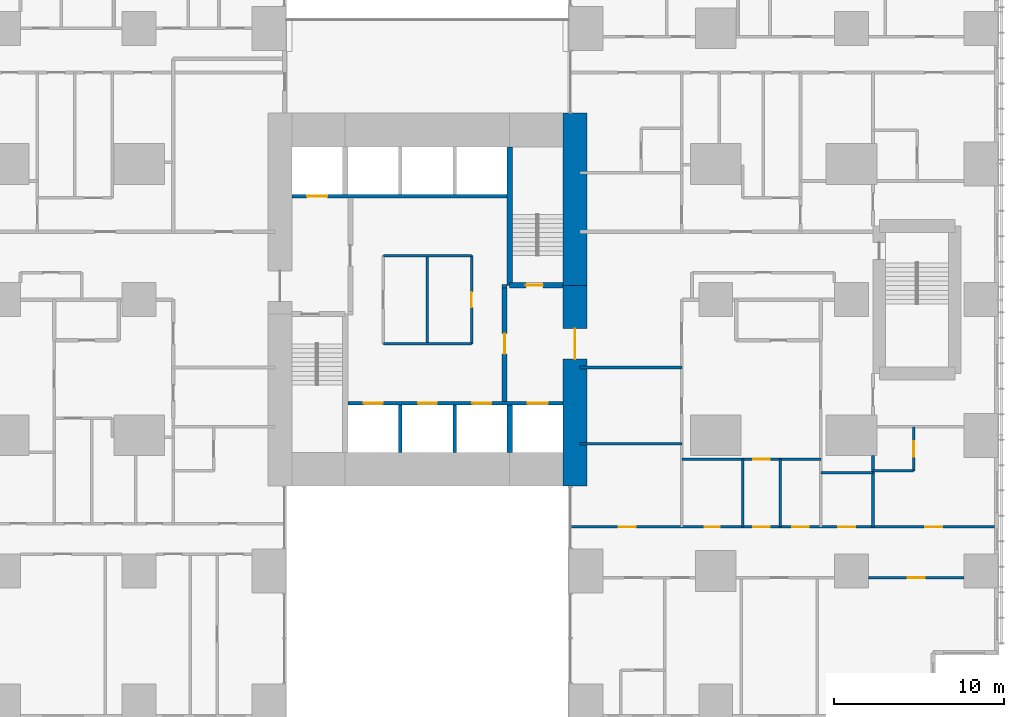
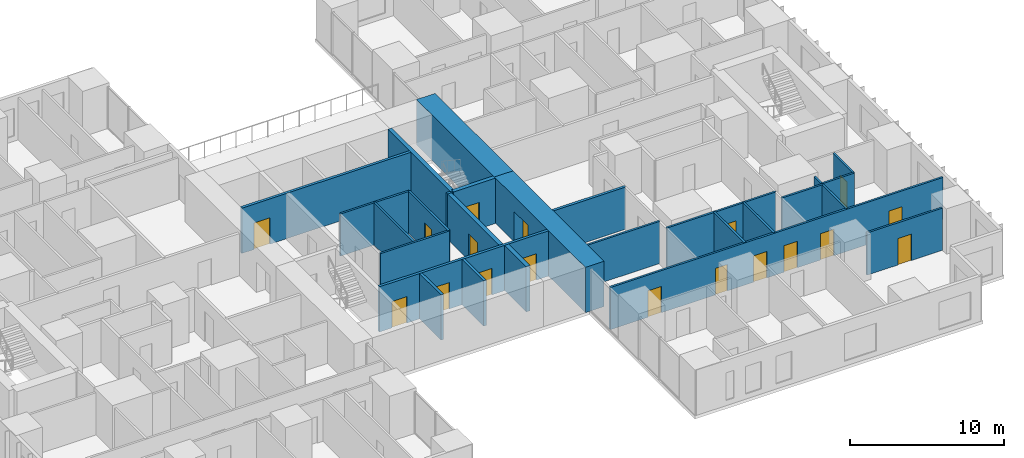
# One storey, part 15 of 20: 26 walls, 18 doors, 18 openings.
"""IFC4 building model written with IfcOpenShell, lengths in metres."""

import ifcopenshell
import ifcopenshell.guid

model = None  # the IFC model being written
_history = None  # IfcOwnerHistory: only IFC2X3 demands one
_inside = {}  # id of a spatial element -> (the spatial element, [elements in it])
_under = {}  # id of a project, library or spatial element -> (it, [spatial elements below it])
_declared = {}  # id of a project -> (the project, [libraries it declares])
_typed = {}  # id of a type object -> (the type object, [elements of that type])
_made_of = {}  # id of a material, layer set ... -> (it, [elements and type objects made of it])


def new_model(schema):
    """Start an empty IFC model of exactly this schema.

    Asked for "IFC4X3", IfcOpenShell would pick the latest addendum, in which some entities
    have other attributes; the version numbers below select the first issue.
    IFC2X3 requires an IfcOwnerHistory on every rooted entity: one is made here for all.
    """
    global model, _history
    if schema == "IFC4X3":
        model = ifcopenshell.file(schema_version=(4, 3, 0, 0))
    else:
        model = ifcopenshell.file(schema=schema)
    _inside.clear()
    _under.clear()
    _declared.clear()
    _typed.clear()
    _made_of.clear()
    _history = None
    if model.schema == "IFC2X3":
        org = make("IfcOrganization", Name="unknown")
        user = make(
            "IfcPersonAndOrganization",
            ThePerson=make("IfcPerson", FamilyName="unknown"),
            TheOrganization=org,
        )
        app = make(
            "IfcApplication",
            ApplicationDeveloper=org,
            Version="unknown",
            ApplicationFullName="unknown",
            ApplicationIdentifier="unknown",
        )
        _history = make(
            "IfcOwnerHistory",
            OwningUser=user,
            OwningApplication=app,
            ChangeAction="ADDED",
            CreationDate=0,
        )
    return model


def make(cls, **values):
    """One entity of the class cls with the attributes given. An attribute that is None is left unset."""
    return model.create_entity(
        cls, **{name: value for name, value in values.items() if value is not None}
    )


def rooted(cls, **values):
    """An entity with a GlobalId (a new one), such as an element, a storey or a relation."""
    return make(cls, GlobalId=ifcopenshell.guid.new(), OwnerHistory=_history, **values)


def si_unit(unit_type, name, prefix=None):
    """IfcSIUnit, for example si_unit("LENGTHUNIT", "METRE", prefix="MILLI")."""
    return make("IfcSIUnit", UnitType=unit_type, Prefix=prefix, Name=name)


def assignment(units):
    """IfcUnitAssignment: the units of a project."""
    return None if units is None else make("IfcUnitAssignment", Units=units)


def point(xyz):
    """IfcCartesianPoint."""
    return None if xyz is None else make("IfcCartesianPoint", Coordinates=xyz)


def direction(xyz):
    """IfcDirection."""
    return None if xyz is None else make("IfcDirection", DirectionRatios=xyz)


def frame(location, z_axis=None, x_axis=None):
    """IfcAxis2Placement3D, a coordinate frame: its origin and axes. An axis left out is left unset."""
    return make(
        "IfcAxis2Placement3D",
        Location=point(location),
        Axis=direction(z_axis),
        RefDirection=direction(x_axis),
    )


def frame_2d(location, x_axis=None):
    """IfcAxis2Placement2D, a coordinate frame in the plane: its origin and x axis."""
    return make(
        "IfcAxis2Placement2D", Location=point(location), RefDirection=direction(x_axis)
    )


def origin():
    """The frame at (0, 0, 0) with its axes left unset."""
    return frame((0.0, 0.0, 0.0))


def place(relative_to, where):
    """IfcLocalPlacement: puts the frame where relative to a parent placement (None: the world)."""
    return make(
        "IfcLocalPlacement", PlacementRelTo=relative_to, RelativePlacement=where
    )


def context(
    kind, dimensions, precision=None, world=None, true_north=None, identifier=None
):
    """IfcGeometricRepresentationContext, for example the 3D "Model" context."""
    return make(
        "IfcGeometricRepresentationContext",
        ContextIdentifier=identifier,
        ContextType=kind,
        CoordinateSpaceDimension=dimensions,
        Precision=precision,
        WorldCoordinateSystem=world,
        TrueNorth=true_north,
    )


def subcontext(parent, identifier, kind, view, scale=None):
    """IfcGeometricRepresentationSubContext, for example "Body" below "Model"."""
    return make(
        "IfcGeometricRepresentationSubContext",
        ContextIdentifier=identifier,
        ContextType=kind,
        ParentContext=parent,
        TargetScale=scale,
        TargetView=view,
    )


def project(units=None, contexts=None):
    """IfcProject with its units and contexts."""
    return rooted(
        "IfcProject",
        Name="project",
        RepresentationContexts=contexts,
        UnitsInContext=assignment(units),
    )


def spatial(cls, under=None, at=None, **own):
    """A site, building, storey or space (cls), placed at a placement, below another one or the project."""
    s = rooted(cls, ObjectPlacement=at, **own)
    if under is not None:
        _under.setdefault(under.id(), (under, []))[1].append(s)
    return s


def profile(cls, at=None, kind="AREA", **sizes):
    """A parametric profile (cls). Its sizes go by their IFC names, for example OverallWidth=200.0."""
    return make(cls, ProfileType=kind, Position=at, **sizes)


def rectangle(**sizes):
    """IfcRectangleProfileDef."""
    return profile("IfcRectangleProfileDef", **sizes)


def extrude(swept, where, along, depth):
    """IfcExtrudedAreaSolid: the profile swept, set in the frame where, extruded along a direction by depth."""
    return make(
        "IfcExtrudedAreaSolid",
        SweptArea=swept,
        Position=where,
        ExtrudedDirection=direction(along),
        Depth=depth,
    )


def shape(context_of_items, identifier, shape_type, items):
    """IfcShapeRepresentation: the items that make up one representation, for example the "Body"."""
    return make(
        "IfcShapeRepresentation",
        ContextOfItems=context_of_items,
        RepresentationIdentifier=identifier,
        RepresentationType=shape_type,
        Items=items,
    )


def material(Name=None, Category=None):
    """IfcMaterial."""
    return make("IfcMaterial", Name=Name, Category=Category)


def layer(
    of_material, thickness, ventilated=None, Name=None, Category=None, Priority=None
):
    """IfcMaterialLayer: one layer of a wall or slab, of a material (None: an air gap)."""
    return make(
        "IfcMaterialLayer",
        Material=of_material,
        LayerThickness=thickness,
        IsVentilated=ventilated,
        Name=Name,
        Category=Category,
        Priority=Priority,
    )


def layer_set(layers, Name=None):
    """IfcMaterialLayerSet."""
    return make("IfcMaterialLayerSet", MaterialLayers=layers, LayerSetName=Name)


def made_of(thing, what):
    """Note that an element or type object is made of a material, layer set ...; save() writes the relation."""
    if what is not None:
        _made_of.setdefault(what.id(), (what, []))[1].append(thing)
    return thing


def type_object(cls, material=None, **own):
    """A type object (cls), such as IfcWallType, which elements share."""
    return made_of(rooted(cls, **own), material)


def element(
    cls,
    number,
    at=None,
    inside=None,
    cuts=None,
    type_object=None,
    material=None,
    context=None,
    identifier="Body",
    shape_type=None,
    held_by="IfcProductDefinitionShape",
    body=None,
    shapes=None,
    **own,
):
    """One element of the class cls, such as IfcWall. Its Tag is "e" and its number.

    at: its placement. inside: the storey or other place that contains it. cuts: it is an
    opening in that element (IfcRelVoidsElement). A single representation is given by context,
    identifier, shape_type and body (its items); several are given by shapes. held_by: the class
    of the entity that holds the representations. save() writes the other relations.
    """
    e = rooted(cls, Tag="e%d" % number, ObjectPlacement=at, **own)
    if body is not None:
        shapes = [shape(context, identifier, shape_type, body)]
    if shapes is not None:
        e.Representation = make(held_by, Representations=shapes)
    if inside is not None:
        _inside.setdefault(inside.id(), (inside, []))[1].append(e)
    if cuts is not None:
        rooted(
            "IfcRelVoidsElement", RelatingBuildingElement=cuts, RelatedOpeningElement=e
        )
    if type_object is not None:
        _typed.setdefault(type_object.id(), (type_object, []))[1].append(e)
    return made_of(e, material)


def fill(opening, filler):
    """IfcRelFillsElement: the door or window that sits in an opening."""
    return rooted(
        "IfcRelFillsElement",
        RelatingOpeningElement=opening,
        RelatedBuildingElement=filler,
    )


def aggregate(whole, parts):
    """IfcRelAggregates: a whole, such as a stair, and the parts it consists of."""
    return rooted("IfcRelAggregates", RelatingObject=whole, RelatedObjects=parts)


def save(model, path):
    """Write the relations noted so far, then the file.

    IfcRelAggregates (storeys below a building ...), IfcRelContainedInSpatialStructure (elements
    in a storey), IfcRelDefinesByType, IfcRelAssociatesMaterial and IfcRelDeclares: one each for
    every whole, place, type object, material and project.
    """
    for whole, parts in _under.values():
        aggregate(whole, parts)
    for where, things in _inside.values():
        rooted(
            "IfcRelContainedInSpatialStructure",
            RelatedElements=things,
            RelatingStructure=where,
        )
    for kind, things in _typed.values():
        rooted("IfcRelDefinesByType", RelatedObjects=things, RelatingType=kind)
    for what, things in _made_of.values():
        rooted("IfcRelAssociatesMaterial", RelatedObjects=things, RelatingMaterial=what)
    for by, libraries in _declared.values():
        rooted("IfcRelDeclares", RelatingContext=by, RelatedDefinitions=libraries)
    model.write(path)


model = new_model("IFC4")

# Units and contexts
model_context = context("Model", 3, precision=1e-05, world=origin(), true_north=direction((0.0, 1.0)))
body_context = subcontext(model_context, "Body", "Model", "MODEL_VIEW")
ifc_project = project(units=[si_unit("LENGTHUNIT", "METRE"), si_unit("AREAUNIT", "SQUARE_METRE"), si_unit("VOLUMEUNIT", "CUBIC_METRE"), si_unit("PLANEANGLEUNIT", "RADIAN"), si_unit("MASSUNIT", "GRAM", prefix="KILO")], contexts=[model_context])

# Site, building, storey
site_placement = place(None, origin())
site = spatial("IfcSite", under=ifc_project, at=site_placement, CompositionType="ELEMENT")
building_placement = place(site_placement, origin())
building = spatial("IfcBuilding", under=site, at=building_placement, Name="Cleftline Residences", CompositionType="ELEMENT")
storey_placement = place(building_placement, frame((0.0, 0.0, 96.199951171875)))
storey = spatial("IfcBuildingStorey", under=building, at=storey_placement, Name="L24", CompositionType="ELEMENT", Elevation=96.199951171875)

# Wall, opening, door
ifc_material_1 = material(Name="Concrete B70", Category="concrete")
ifc_layer_1 = layer(ifc_material_1, 1.39990234375)
ifc_layer_set_1 = layer_set([ifc_layer_1], Name="CORE WALL 1400")
wall_type_1 = type_object("IfcWallType", Name="CORE WALL 1400", PredefinedType="SHEAR", material=ifc_layer_set_1)
wall_1_placement = place(storey_placement, frame((41.699951171875, 13.0, 0.0), z_axis=(0.0, 0.0, 1.0), x_axis=(0.0, 1.0, 0.0)))
wall_1 = element("IfcWall", 1, at=wall_1_placement, inside=storey, type_object=wall_type_1, Name="Core wall E", PredefinedType="SHEAR", context=body_context, shape_type="SweptSolid", body=[
    extrude(rectangle(XDim=11.85009765625, YDim=1.39990234375, at=frame_2d((5.925048828125, 0.0))), origin(), (0.0, 0.0, 1.0), 3.60009765625),
])
opening_1_placement = place(wall_1_placement, frame((7.5, 0.0, 0.0)))
opening_1 = element("IfcOpeningElement", 2, at=opening_1_placement, cuts=wall_1, Name="Opening D7", PredefinedType="OPENING", context=body_context, shape_type="SweptSolid", body=[
    extrude(rectangle(XDim=1.800048828125, YDim=2.39990234375, at=frame_2d((0.89990234375, 1.199951171875))), frame((0.0, 0.7099609375, 0.0), z_axis=(0.0, -1.0, 0.0), x_axis=(1.0, 0.0, 0.0)), (0.0, 0.0, 1.0), 1.419921875),
])
ifc_material_2 = material(Name="Steel", Category="steel")
door_type_1 = type_object("IfcDoorType", Name="WING DOOR 1800X2400", OperationType="DOUBLE_DOOR_DOUBLE_SWING", PredefinedType="DOOR", material=ifc_material_2)
door_1_placement = place(opening_1_placement, origin())
door_1 = element("IfcDoor", 3, at=door_1_placement, inside=storey, type_object=door_type_1, Name="East wing door", OperationType="DOUBLE_DOOR_DOUBLE_SWING", OverallHeight=2.39990234375, OverallWidth=1.800048828125, PredefinedType="DOOR", context=body_context, shape_type="SweptSolid", body=[
    extrude(rectangle(XDim=1.800048828125, YDim=2.39990234375, at=frame_2d((0.89990234375, 1.199951171875))), frame((0.0, 0.02490234375, 0.0), z_axis=(0.0, -1.0, 0.0), x_axis=(1.0, 0.0, 0.0)), (0.0, 0.0, 1.0), 0.050048828125),
])
fill(opening_1, door_1)

# Walls
wall_2_placement = place(storey_placement, frame((41.699951171875, 24.85009765625, 0.0), z_axis=(0.0, 0.0, 1.0), x_axis=(0.0, 1.0, 0.0)))
element("IfcWall", 4, at=wall_2_placement, inside=storey, type_object=wall_type_1, Name="Core wall E1", PredefinedType="SHEAR", context=body_context, shape_type="SweptSolid", body=[
    extrude(rectangle(XDim=10.14990234375, YDim=1.39990234375, at=frame_2d((5.074951171875, 0.0))), origin(), (0.0, 0.0, 1.0), 3.60009765625),
])
ifc_material_3 = material(Name="Concrete B70", Category="concrete")
ifc_layer_2 = layer(ifc_material_3, 0.300048828125)
ifc_layer_set_2 = layer_set([ifc_layer_2], Name="CORE WALL 300")
wall_type_2 = type_object("IfcWallType", Name="CORE WALL 300", PredefinedType="SHEAR", material=ifc_layer_set_2)
wall_3_placement = place(storey_placement, frame((37.85009765625, 24.85009765625, 0.0), z_axis=(0.0, 0.0, 1.0), x_axis=(0.0, 1.0, 0.0)))
element("IfcWall", 5, at=wall_3_placement, inside=storey, type_object=wall_type_2, Name="Core wall SB-W", PredefinedType="SHEAR", context=body_context, shape_type="SweptSolid", body=[
    extrude(rectangle(XDim=8.14990234375, YDim=0.300048828125, at=frame_2d((4.074951171875, 0.0))), origin(), (0.0, 0.0, 1.0), 3.60009765625),
])

# Wall, opening, door
wall_4_placement = place(storey_placement, frame((37.85009765625, 24.85009765625, 0.0), z_axis=(0.0, 0.0, 1.0), x_axis=(1.0, 0.0, 0.0)))
wall_4 = element("IfcWall", 6, at=wall_4_placement, inside=storey, type_object=wall_type_2, Name="Core wall SB-S", PredefinedType="SHEAR", context=body_context, shape_type="SweptSolid", body=[
    extrude(rectangle(XDim=3.14990234375, YDim=0.300048828125, at=frame_2d((1.574951171875, 0.0))), origin(), (0.0, 0.0, 1.0), 3.60009765625),
])
opening_2_placement = place(wall_4_placement, frame((0.949951171875, 0.0, 0.0)))
opening_2 = element("IfcOpeningElement", 7, at=opening_2_placement, cuts=wall_4, Name="Opening D5", PredefinedType="OPENING", context=body_context, shape_type="SweptSolid", body=[
    extrude(rectangle(XDim=1.0, YDim=2.10009765625, at=frame_2d((0.5, 1.050048828125))), frame((0.0, 0.159912109375, 0.0), z_axis=(0.0, -1.0, 0.0), x_axis=(1.0, 0.0, 0.0)), (0.0, 0.0, 1.0), 0.320068359375),
])
ifc_material_4 = material(Name="Steel", Category="steel")
door_type_2 = type_object("IfcDoorType", Name="STAIR DOOR 1000X2100", OperationType="SINGLE_SWING_LEFT", PredefinedType="DOOR", material=ifc_material_4)
door_2_placement = place(opening_2_placement, origin())
door_2 = element("IfcDoor", 8, at=door_2_placement, inside=storey, type_object=door_type_2, Name="Stair B door", OperationType="SINGLE_SWING_RIGHT", OverallHeight=2.10009765625, OverallWidth=1.0, PredefinedType="DOOR", context=body_context, shape_type="SweptSolid", body=[
    extrude(rectangle(XDim=1.0, YDim=2.10009765625, at=frame_2d((0.5, 1.050048828125))), frame((0.0, 0.02490234375, 0.0), z_axis=(0.0, -1.0, 0.0), x_axis=(1.0, 0.0, 0.0)), (0.0, 0.0, 1.0), 0.050048828125),
])
fill(opening_2, door_2)

# Walls
wall_5_placement = place(storey_placement, frame((37.85009765625, 15.0, 0.0), z_axis=(0.0, 0.0, 1.0), x_axis=(0.0, 1.0, 0.0)))
element("IfcWall", 9, at=wall_5_placement, inside=storey, type_object=wall_type_2, Name="Lift shaft wall", PredefinedType="SHEAR", context=body_context, shape_type="SweptSolid", body=[
    extrude(rectangle(XDim=2.800048828125, YDim=0.300048828125, at=frame_2d((1.39990234375, 0.0))), origin(), (0.0, 0.0, 1.0), 3.60009765625),
])
ifc_material_5 = material(Name="Concrete blockwork, fire rated", Category="masonry")
ifc_layer_3 = layer(ifc_material_5, 0.199951171875)
ifc_layer_set_3 = layer_set([ifc_layer_3], Name="FIRE WALL 200")
wall_type_3 = type_object("IfcWallType", Name="FIRE WALL 200", PredefinedType="PARTITIONING", material=ifc_layer_set_3)
wall_6_placement = place(storey_placement, frame((42.0, 20.0, 0.0), z_axis=(0.0, 0.0, 1.0), x_axis=(1.0, 0.0, 0.0)))
element("IfcWall", 10, at=wall_6_placement, inside=storey, type_object=wall_type_3, Name="Fire separating wall", PredefinedType="PARTITIONING", context=body_context, shape_type="SweptSolid", body=[
    extrude(rectangle(XDim=6.0, YDim=0.199951171875, at=frame_2d((3.0, 0.0))), origin(), (0.0, 0.0, 1.0), 3.35009765625),
])
wall_7_placement = place(storey_placement, frame((37.39990234375, 24.800048828125, 0.0), z_axis=(0.0, 0.0, 1.0), x_axis=(1.0, 0.0, 0.0)))
element("IfcWall", 11, at=wall_7_placement, inside=storey, type_object=wall_type_3, Name="Fire separating wall", PredefinedType="PARTITIONING", context=body_context, shape_type="SweptSolid", body=[
    extrude(rectangle(XDim=0.300048828125, YDim=0.199951171875, at=frame_2d((0.14990234375, 0.0))), origin(), (0.0, 0.0, 1.0), 3.60009765625),
])

# Wall, opening, door
ifc_material_6 = material(Name="Gypsum board on steel studs", Category="steel")
ifc_layer_4 = layer(ifc_material_6, 0.14990234375)
ifc_layer_set_4 = layer_set([ifc_layer_4], Name="PARTITION 150")
wall_type_4 = type_object("IfcWallType", Name="PARTITION 150", PredefinedType="PARTITIONING", material=ifc_layer_set_4)
wall_8_placement = place(storey_placement, frame((59.0, 7.60009765625, 0.0), z_axis=(0.0, 0.0, 1.0), x_axis=(1.0, 0.0, 0.0)))
wall_8 = element("IfcWall", 12, at=wall_8_placement, inside=storey, type_object=wall_type_4, Name="Partition", PredefinedType="PARTITIONING", context=body_context, shape_type="SweptSolid", body=[
    extrude(rectangle(XDim=5.64990234375, YDim=0.14990234375, at=frame_2d((2.824951171875, 0.0))), origin(), (0.0, 0.0, 1.0), 3.35009765625),
])
opening_3_placement = place(wall_8_placement, frame((2.324951171875, 0.0, 0.0)))
opening_3 = element("IfcOpeningElement", 13, at=opening_3_placement, cuts=wall_8, Name="Opening D2", PredefinedType="OPENING", context=body_context, shape_type="SweptSolid", body=[
    extrude(rectangle(XDim=1.0, YDim=2.10009765625, at=frame_2d((0.5, 1.050048828125))), frame((0.0, 0.0849609375, 0.0), z_axis=(0.0, -1.0, 0.0), x_axis=(1.0, 0.0, 0.0)), (0.0, 0.0, 1.0), 0.169921875),
])
ifc_material_7 = material(Name="Timber veneer on solid core", Category="wood")
door_type_3 = type_object("IfcDoorType", Name="DOOR 1000X2100", OperationType="SINGLE_SWING_LEFT", PredefinedType="DOOR", material=ifc_material_7)
door_3_placement = place(opening_3_placement, origin())
door_3 = element("IfcDoor", 14, at=door_3_placement, inside=storey, type_object=door_type_3, Name="Door to sea-view lounge", OperationType="SINGLE_SWING_LEFT", OverallHeight=2.10009765625, OverallWidth=1.0, PredefinedType="DOOR", context=body_context, shape_type="SweptSolid", body=[
    extrude(rectangle(XDim=1.0, YDim=2.10009765625, at=frame_2d((0.5, 1.050048828125))), frame((0.0, 0.02490234375, 0.0), z_axis=(0.0, -1.0, 0.0), x_axis=(1.0, 0.0, 0.0)), (0.0, 0.0, 1.0), 0.050048828125),
])
fill(opening_3, door_3)

# Wall, openings, doors
wall_9_placement = place(storey_placement, frame((41.43896484375, 10.60009765625, 0.0), z_axis=(0.0, 0.0, 1.0), x_axis=(1.0, 0.0, 0.0)))
wall_9 = element("IfcWall", 15, at=wall_9_placement, inside=storey, type_object=wall_type_4, Name="Partition", PredefinedType="PARTITIONING", context=body_context, shape_type="SweptSolid", body=[
    extrude(rectangle(XDim=25.010986328125, YDim=0.14990234375, at=frame_2d((12.50537109375, 0.0))), origin(), (0.0, 0.0, 1.0), 3.35009765625),
])
opening_4_placement = place(wall_9_placement, frame((10.760986328125, 0.0, 0.0)))
opening_4 = element("IfcOpeningElement", 16, at=opening_4_placement, cuts=wall_9, Name="Opening D2", PredefinedType="OPENING", context=body_context, shape_type="SweptSolid", body=[
    extrude(rectangle(XDim=1.0, YDim=2.10009765625, at=frame_2d((0.5, 1.050048828125))), frame((0.0, 0.0849609375, 0.0), z_axis=(0.0, -1.0, 0.0), x_axis=(1.0, 0.0, 0.0)), (0.0, 0.0, 1.0), 0.169921875),
])
opening_5_placement = place(wall_9_placement, frame((20.923583984375, 0.0, 0.0)))
opening_5 = element("IfcOpeningElement", 17, at=opening_5_placement, cuts=wall_9, Name="Opening D2", PredefinedType="OPENING", context=body_context, shape_type="SweptSolid", body=[
    extrude(rectangle(XDim=1.0, YDim=2.10009765625, at=frame_2d((0.5, 1.050048828125))), frame((0.0, 0.0849609375, 0.0), z_axis=(0.0, -1.0, 0.0), x_axis=(1.0, 0.0, 0.0)), (0.0, 0.0, 1.0), 0.169921875),
])
opening_6_placement = place(wall_9_placement, frame((15.798583984375, 0.0, 0.0)))
opening_6 = element("IfcOpeningElement", 18, at=opening_6_placement, cuts=wall_9, Name="Opening D2", PredefinedType="OPENING", context=body_context, shape_type="SweptSolid", body=[
    extrude(rectangle(XDim=1.0, YDim=2.10009765625, at=frame_2d((0.5, 1.050048828125))), frame((0.0, 0.0849609375, 0.0), z_axis=(0.0, -1.0, 0.0), x_axis=(1.0, 0.0, 0.0)), (0.0, 0.0, 1.0), 0.169921875),
])
opening_7_placement = place(wall_9_placement, frame((13.06103515625, 0.0, 0.0)))
opening_7 = element("IfcOpeningElement", 19, at=opening_7_placement, cuts=wall_9, Name="Opening D2", PredefinedType="OPENING", context=body_context, shape_type="SweptSolid", body=[
    extrude(rectangle(XDim=1.0, YDim=2.10009765625, at=frame_2d((0.5, 1.050048828125))), frame((0.0, 0.0849609375, 0.0), z_axis=(0.0, -1.0, 0.0), x_axis=(1.0, 0.0, 0.0)), (0.0, 0.0, 1.0), 0.169921875),
])
opening_8_placement = place(wall_9_placement, frame((7.910888671875, 0.0, 0.0)))
opening_8 = element("IfcOpeningElement", 20, at=opening_8_placement, cuts=wall_9, Name="Opening D1", PredefinedType="OPENING", context=body_context, shape_type="SweptSolid", body=[
    extrude(rectangle(XDim=0.89990234375, YDim=2.10009765625, at=frame_2d((0.449951171875, 1.050048828125))), frame((0.0, 0.0849609375, 0.0), z_axis=(0.0, -1.0, 0.0), x_axis=(1.0, 0.0, 0.0)), (0.0, 0.0, 1.0), 0.169921875),
])
opening_9_placement = place(wall_9_placement, frame((2.8359375, 0.0, 0.0)))
opening_9 = element("IfcOpeningElement", 21, at=opening_9_placement, cuts=wall_9, Name="Opening D2", PredefinedType="OPENING", context=body_context, shape_type="SweptSolid", body=[
    extrude(rectangle(XDim=1.0, YDim=2.10009765625, at=frame_2d((0.5, 1.050048828125))), frame((0.0, 0.0849609375, 0.0), z_axis=(0.0, -1.0, 0.0), x_axis=(1.0, 0.0, 0.0)), (0.0, 0.0, 1.0), 0.169921875),
])
door_4_placement = place(opening_4_placement, origin())
door_4 = element("IfcDoor", 22, at=door_4_placement, inside=storey, type_object=door_type_3, Name="Door to residence hall", OperationType="SINGLE_SWING_RIGHT", OverallHeight=2.10009765625, OverallWidth=1.0, PredefinedType="DOOR", context=body_context, shape_type="SweptSolid", body=[
    extrude(rectangle(XDim=1.0, YDim=2.10009765625, at=frame_2d((0.5, 1.050048828125))), frame((0.0, 0.02490234375, 0.0), z_axis=(0.0, -1.0, 0.0), x_axis=(1.0, 0.0, 0.0)), (0.0, 0.0, 1.0), 0.050048828125),
])
fill(opening_4, door_4)
door_5_placement = place(opening_5_placement, origin())
door_5 = element("IfcDoor", 23, at=door_5_placement, inside=storey, type_object=door_type_3, Name="Door to master bedroom", OperationType="SINGLE_SWING_LEFT", OverallHeight=2.10009765625, OverallWidth=1.0, PredefinedType="DOOR", context=body_context, shape_type="SweptSolid", body=[
    extrude(rectangle(XDim=1.0, YDim=2.10009765625, at=frame_2d((0.5, 1.050048828125))), frame((0.0, 0.02490234375, 0.0), z_axis=(0.0, -1.0, 0.0), x_axis=(1.0, 0.0, 0.0)), (0.0, 0.0, 1.0), 0.050048828125),
])
fill(opening_5, door_5)
door_6_placement = place(opening_6_placement, origin())
door_6 = element("IfcDoor", 24, at=door_6_placement, inside=storey, type_object=door_type_3, Name="Door to wet kitchen", OperationType="SINGLE_SWING_LEFT", OverallHeight=2.10009765625, OverallWidth=1.0, PredefinedType="DOOR", context=body_context, shape_type="SweptSolid", body=[
    extrude(rectangle(XDim=1.0, YDim=2.10009765625, at=frame_2d((0.5, 1.050048828125))), frame((0.0, 0.02490234375, 0.0), z_axis=(0.0, -1.0, 0.0), x_axis=(1.0, 0.0, 0.0)), (0.0, 0.0, 1.0), 0.050048828125),
])
fill(opening_6, door_6)
door_7_placement = place(opening_7_placement, origin())
door_7 = element("IfcDoor", 25, at=door_7_placement, inside=storey, type_object=door_type_3, Name="Door to media room", OperationType="SINGLE_SWING_LEFT", OverallHeight=2.10009765625, OverallWidth=1.0, PredefinedType="DOOR", context=body_context, shape_type="SweptSolid", body=[
    extrude(rectangle(XDim=1.0, YDim=2.10009765625, at=frame_2d((0.5, 1.050048828125))), frame((0.0, 0.02490234375, 0.0), z_axis=(0.0, -1.0, 0.0), x_axis=(1.0, 0.0, 0.0)), (0.0, 0.0, 1.0), 0.050048828125),
])
fill(opening_7, door_7)
door_8_placement = place(opening_9_placement, origin())
door_8 = element("IfcDoor", 26, at=door_8_placement, inside=storey, type_object=door_type_3, Name="Door to study", OperationType="SINGLE_SWING_RIGHT", OverallHeight=2.10009765625, OverallWidth=1.0, PredefinedType="DOOR", context=body_context, shape_type="SweptSolid", body=[
    extrude(rectangle(XDim=1.0, YDim=2.10009765625, at=frame_2d((0.5, 1.050048828125))), frame((0.0, 0.02490234375, 0.0), z_axis=(0.0, -1.0, 0.0), x_axis=(1.0, 0.0, 0.0)), (0.0, 0.0, 1.0), 0.050048828125),
])
fill(opening_9, door_8)
ifc_material_8 = material(Name="Timber veneer on solid core", Category="wood")
door_type_4 = type_object("IfcDoorType", Name="DOOR 900X2100", OperationType="SINGLE_SWING_LEFT", PredefinedType="DOOR", material=ifc_material_8)
door_9_placement = place(opening_8_placement, origin())
door_9 = element("IfcDoor", 27, at=door_9_placement, inside=storey, type_object=door_type_4, Name="Door to bedroom 2 bathroom", OperationType="SINGLE_SWING_RIGHT", OverallHeight=2.10009765625, OverallWidth=0.89990234375, PredefinedType="DOOR", context=body_context, shape_type="SweptSolid", body=[
    extrude(rectangle(XDim=0.89990234375, YDim=2.10009765625, at=frame_2d((0.449951171875, 1.050048828125))), frame((0.0, 0.02490234375, 0.0), z_axis=(0.0, -1.0, 0.0), x_axis=(1.0, 0.0, 0.0)), (0.0, 0.0, 1.0), 0.050048828125),
])
fill(opening_8, door_9)

# Walls
wall_10_placement = place(storey_placement, frame((56.199951171875, 13.800048828125, 0.0), z_axis=(0.0, 0.0, 1.0), x_axis=(1.0, 0.0, 0.0)))
element("IfcWall", 28, at=wall_10_placement, inside=storey, type_object=wall_type_4, Name="Partition", PredefinedType="PARTITIONING", context=body_context, shape_type="SweptSolid", body=[
    extrude(rectangle(XDim=3.074951171875, YDim=0.14990234375, at=frame_2d((1.53759765625, 0.0))), origin(), (0.0, 0.0, 1.0), 3.35009765625),
])
wall_11_placement = place(storey_placement, frame((59.27490234375, 13.89990234375, 0.0), z_axis=(0.0, 0.0, 1.0), x_axis=(1.0, 0.0, 0.0)))
element("IfcWall", 29, at=wall_11_placement, inside=storey, type_object=wall_type_4, Name="Partition", PredefinedType="PARTITIONING", context=body_context, shape_type="SweptSolid", body=[
    extrude(rectangle(XDim=2.400146484375, YDim=0.14990234375, at=frame_2d((1.2001953125, 0.0))), origin(), (0.0, 0.0, 1.0), 3.35009765625),
])

# Wall, opening, door
wall_12_placement = place(storey_placement, frame((48.0, 14.60009765625, 0.0), z_axis=(0.0, 0.0, 1.0), x_axis=(1.0, 0.0, 0.0)))
wall_12 = element("IfcWall", 30, at=wall_12_placement, inside=storey, type_object=wall_type_4, Name="Partition", PredefinedType="PARTITIONING", context=body_context, shape_type="SweptSolid", body=[
    extrude(rectangle(XDim=8.199951171875, YDim=0.14990234375, at=frame_2d((4.10009765625, 0.0))), origin(), (0.0, 0.0, 1.0), 3.35009765625),
])
opening_10_placement = place(wall_12_placement, frame((4.199951171875, 0.0, 0.0)))
opening_10 = element("IfcOpeningElement", 31, at=opening_10_placement, cuts=wall_12, Name="Opening D2", PredefinedType="OPENING", context=body_context, shape_type="SweptSolid", body=[
    extrude(rectangle(XDim=1.0, YDim=2.10009765625, at=frame_2d((0.5, 1.050048828125))), frame((0.0, 0.0849609375, 0.0), z_axis=(0.0, -1.0, 0.0), x_axis=(1.0, 0.0, 0.0)), (0.0, 0.0, 1.0), 0.169921875),
])
door_10_placement = place(opening_10_placement, origin())
door_10 = element("IfcDoor", 32, at=door_10_placement, inside=storey, type_object=door_type_3, Name="Door to residence passage", OperationType="SINGLE_SWING_LEFT", OverallHeight=2.10009765625, OverallWidth=1.0, PredefinedType="DOOR", context=body_context, shape_type="SweptSolid", body=[
    extrude(rectangle(XDim=1.0, YDim=2.10009765625, at=frame_2d((0.5, 1.050048828125))), frame((0.0, 0.02490234375, 0.0), z_axis=(0.0, -1.0, 0.0), x_axis=(1.0, 0.0, 0.0)), (0.0, 0.0, 1.0), 0.050048828125),
])
fill(opening_10, door_10)

# Walls
wall_13_placement = place(storey_placement, frame((42.0, 15.5, 0.0), z_axis=(0.0, 0.0, 1.0), x_axis=(1.0, 0.0, 0.0)))
element("IfcWall", 33, at=wall_13_placement, inside=storey, type_object=wall_type_4, Name="Partition", PredefinedType="PARTITIONING", context=body_context, shape_type="SweptSolid", body=[
    extrude(rectangle(XDim=6.0, YDim=0.14990234375, at=frame_2d((3.0, 0.0))), origin(), (0.0, 0.0, 1.0), 3.35009765625),
])
for number, where, z_axis, x_axis, name in (
    (34, (51.60009765625, 10.60009765625, 0.0), (0.0, 0.0, 1.0), (0.0, 1.0, 0.0), "Partition"),
    (35, (53.800048828125, 10.60009765625, 0.0), (0.0, 0.0, 1.0), (0.0, 1.0, 0.0), "Partition"),
):
    element("IfcWall", number, at=place(storey_placement, frame(where, z_axis=z_axis, x_axis=x_axis)), inside=storey, type_object=wall_type_4, Name=name, PredefinedType="PARTITIONING", context=body_context, shape_type="SweptSolid", body=[
        extrude(rectangle(XDim=4.0, YDim=0.14990234375, at=frame_2d((2.0, 0.0))), origin(), (0.0, 0.0, 1.0), 3.35009765625),
    ])
wall_14_placement = place(storey_placement, frame((59.27490234375, 10.60009765625, 0.0), z_axis=(0.0, 0.0, 1.0), x_axis=(0.0, 1.0, 0.0)))
element("IfcWall", 36, at=wall_14_placement, inside=storey, type_object=wall_type_4, Name="Partition", PredefinedType="PARTITIONING", context=body_context, shape_type="SweptSolid", body=[
    extrude(rectangle(XDim=4.199951171875, YDim=0.14990234375, at=frame_2d((2.10009765625, 0.0))), origin(), (0.0, 0.0, 1.0), 3.35009765625),
])

# Wall, opening, door
wall_15_placement = place(storey_placement, frame((61.675048828125, 13.89990234375, 0.0), z_axis=(0.0, 0.0, 1.0), x_axis=(0.0, 1.0, 0.0)))
wall_15 = element("IfcWall", 37, at=wall_15_placement, inside=storey, type_object=wall_type_4, Name="Partition", PredefinedType="PARTITIONING", context=body_context, shape_type="SweptSolid", body=[
    extrude(rectangle(XDim=2.60009765625, YDim=0.14990234375, at=frame_2d((1.300048828125, 0.0))), origin(), (0.0, 0.0, 1.0), 3.35009765625),
])
opening_11_placement = place(wall_15_placement, frame((0.85009765625, 0.0, 0.0)))
opening_11 = element("IfcOpeningElement", 38, at=opening_11_placement, cuts=wall_15, Name="Opening D1", PredefinedType="OPENING", context=body_context, shape_type="SweptSolid", body=[
    extrude(rectangle(XDim=0.89990234375, YDim=2.10009765625, at=frame_2d((0.449951171875, 1.050048828125))), frame((0.0, 0.0849609375, 0.0), z_axis=(0.0, -1.0, 0.0), x_axis=(1.0, 0.0, 0.0)), (0.0, 0.0, 1.0), 0.169921875),
])
door_11_placement = place(opening_11_placement, origin())
door_11 = element("IfcDoor", 39, at=door_11_placement, inside=storey, type_object=door_type_4, Name="Door to master bathroom", OperationType="SINGLE_SWING_LEFT", OverallHeight=2.10009765625, OverallWidth=0.89990234375, PredefinedType="DOOR", context=body_context, shape_type="SweptSolid", body=[
    extrude(rectangle(XDim=0.89990234375, YDim=2.10009765625, at=frame_2d((0.449951171875, 1.050048828125))), frame((0.0, 0.02490234375, 0.0), z_axis=(0.0, -1.0, 0.0), x_axis=(1.0, 0.0, 0.0)), (0.0, 0.0, 1.0), 0.050048828125),
])
fill(opening_11, door_11)

# Walls
ifc_material_9 = material(Name="Fire-resisting gypsum board on steel studs", Category="steel")
ifc_layer_5 = layer(ifc_material_9, 0.14990234375)
ifc_layer_set_5 = layer_set([ifc_layer_5], Name="PARTITION 150 EI 60")
wall_type_5 = type_object("IfcWallType", Name="PARTITION 150 EI 60", PredefinedType="PARTITIONING", material=ifc_layer_set_5)
for number, where, z_axis, x_axis, name in (
    (40, (30.39990234375, 21.39990234375, 0.0), (0.0, 0.0, 1.0), (1.0, 0.0, 0.0), "Core room partition"),
    (41, (30.39990234375, 26.60009765625, 0.0), (0.0, 0.0, 1.0), (1.0, 0.0, 0.0), "Core room partition"),
):
    element("IfcWall", number, at=place(storey_placement, frame(where, z_axis=z_axis, x_axis=x_axis)), inside=storey, type_object=wall_type_5, Name=name, PredefinedType="PARTITIONING", context=body_context, shape_type="SweptSolid", body=[
        extrude(rectangle(XDim=5.2001953125, YDim=0.14990234375, at=frame_2d((2.60009765625, 0.0))), origin(), (0.0, 0.0, 1.0), 3.35009765625),
    ])

# Wall, opening, door
wall_16_placement = place(storey_placement, frame((35.60009765625, 21.39990234375, 0.0), z_axis=(0.0, 0.0, 1.0), x_axis=(0.0, 1.0, 0.0)))
wall_16 = element("IfcWall", 42, at=wall_16_placement, inside=storey, type_object=wall_type_5, Name="Core room partition", PredefinedType="PARTITIONING", context=body_context, shape_type="SweptSolid", body=[
    extrude(rectangle(XDim=5.2001953125, YDim=0.14990234375, at=frame_2d((2.60009765625, 0.0))), origin(), (0.0, 0.0, 1.0), 3.35009765625),
])
opening_12_placement = place(wall_16_placement, frame((2.14990234375, 0.0, 0.0)))
opening_12 = element("IfcOpeningElement", 43, at=opening_12_placement, cuts=wall_16, Name="Opening D1F30", PredefinedType="OPENING", context=body_context, shape_type="SweptSolid", body=[
    extrude(rectangle(XDim=0.89990234375, YDim=2.10009765625, at=frame_2d((0.449951171875, 1.050048828125))), frame((0.0, 0.0849609375, 0.0), z_axis=(0.0, -1.0, 0.0), x_axis=(1.0, 0.0, 0.0)), (0.0, 0.0, 1.0), 0.169921875),
])
ifc_material_10 = material(Name="Timber veneer on solid core", Category="wood")
door_type_5 = type_object("IfcDoorType", Name="DOOR 900X2100 EI 30", OperationType="SINGLE_SWING_LEFT", PredefinedType="DOOR", material=ifc_material_10)
door_12_placement = place(opening_12_placement, origin())
door_12 = element("IfcDoor", 44, at=door_12_placement, inside=storey, type_object=door_type_5, Name="Door to cleaner's store", OperationType="SINGLE_SWING_LEFT", OverallHeight=2.10009765625, OverallWidth=0.89990234375, PredefinedType="DOOR", context=body_context, shape_type="SweptSolid", body=[
    extrude(rectangle(XDim=0.89990234375, YDim=2.10009765625, at=frame_2d((0.449951171875, 1.050048828125))), frame((0.0, 0.02490234375, 0.0), z_axis=(0.0, -1.0, 0.0), x_axis=(1.0, 0.0, 0.0)), (0.0, 0.0, 1.0), 0.050048828125),
])
fill(opening_12, door_12)

# Wall
wall_17_placement = place(storey_placement, frame((33.0, 21.39990234375, 0.0), z_axis=(0.0, 0.0, 1.0), x_axis=(0.0, 1.0, 0.0)))
element("IfcWall", 45, at=wall_17_placement, inside=storey, type_object=wall_type_5, Name="Core room partition", PredefinedType="PARTITIONING", context=body_context, shape_type="SweptSolid", body=[
    extrude(rectangle(XDim=5.2001953125, YDim=0.14990234375, at=frame_2d((2.60009765625, 0.0))), origin(), (0.0, 0.0, 1.0), 3.35009765625),
])

# Wall, openings, doors
ifc_material_11 = material(Name="Concrete blockwork, fire rated", Category="masonry")
ifc_layer_6 = layer(ifc_material_11, 0.199951171875)
ifc_layer_set_6 = layer_set([ifc_layer_6], Name="SHAFT WALL 200")
wall_type_6 = type_object("IfcWallType", Name="SHAFT WALL 200", PredefinedType="PARTITIONING", material=ifc_layer_set_6)
wall_18_placement = place(storey_placement, frame((28.300048828125, 17.89990234375, 0.0), z_axis=(0.0, 0.0, 1.0), x_axis=(1.0, 0.0, 0.0)))
wall_18 = element("IfcWall", 46, at=wall_18_placement, inside=storey, type_object=wall_type_6, Name="Lift shaft wall", PredefinedType="PARTITIONING", context=body_context, shape_type="SweptSolid", body=[
    extrude(rectangle(XDim=12.699951171875, YDim=0.199951171875, at=frame_2d((6.35009765625, 0.0))), origin(), (0.0, 0.0, 1.0), 3.60009765625),
])
opening_13_placement = place(wall_18_placement, frame((0.949951171875, 0.0, 0.0)))
opening_13 = element("IfcOpeningElement", 47, at=opening_13_placement, cuts=wall_18, Name="Opening LD1", PredefinedType="OPENING", context=body_context, shape_type="SweptSolid", body=[
    extrude(rectangle(XDim=1.10009765625, YDim=2.10009765625, at=frame_2d((0.550048828125, 1.050048828125))), frame((0.0, 0.10986328125, 0.0), z_axis=(0.0, -1.0, 0.0), x_axis=(1.0, 0.0, 0.0)), (0.0, 0.0, 1.0), 0.219970703125),
])
opening_14_placement = place(wall_18_placement, frame((4.14990234375, 0.0, 0.0)))
opening_14 = element("IfcOpeningElement", 48, at=opening_14_placement, cuts=wall_18, Name="Opening LD1", PredefinedType="OPENING", context=body_context, shape_type="SweptSolid", body=[
    extrude(rectangle(XDim=1.10009765625, YDim=2.10009765625, at=frame_2d((0.550048828125, 1.050048828125))), frame((0.0, 0.10986328125, 0.0), z_axis=(0.0, -1.0, 0.0), x_axis=(1.0, 0.0, 0.0)), (0.0, 0.0, 1.0), 0.219970703125),
])
opening_15_placement = place(wall_18_placement, frame((7.35009765625, 0.0, 0.0)))
opening_15 = element("IfcOpeningElement", 49, at=opening_15_placement, cuts=wall_18, Name="Opening LD1", PredefinedType="OPENING", context=body_context, shape_type="SweptSolid", body=[
    extrude(rectangle(XDim=1.10009765625, YDim=2.10009765625, at=frame_2d((0.550048828125, 1.050048828125))), frame((0.0, 0.10986328125, 0.0), z_axis=(0.0, -1.0, 0.0), x_axis=(1.0, 0.0, 0.0)), (0.0, 0.0, 1.0), 0.219970703125),
])
opening_16_placement = place(wall_18_placement, frame((10.60009765625, 0.0, 0.0)))
opening_16 = element("IfcOpeningElement", 50, at=opening_16_placement, cuts=wall_18, Name="Opening LD2", PredefinedType="OPENING", context=body_context, shape_type="SweptSolid", body=[
    extrude(rectangle(XDim=1.199951171875, YDim=2.10009765625, at=frame_2d((0.60009765625, 1.050048828125))), frame((0.0, 0.10986328125, 0.0), z_axis=(0.0, -1.0, 0.0), x_axis=(1.0, 0.0, 0.0)), (0.0, 0.0, 1.0), 0.219970703125),
])
ifc_material_12 = material(Name="Steel", Category="steel")
door_type_6 = type_object("IfcDoorType", Name="FIREFIGHTING LIFT LANDING DOOR 1200X2100", OperationType="SLIDING_TO_LEFT", PredefinedType="DOOR", material=ifc_material_12)
door_13_placement = place(opening_16_placement, origin())
door_13 = element("IfcDoor", 51, at=door_13_placement, inside=storey, type_object=door_type_6, Name="Lift FL2 landing door", OperationType="SLIDING_TO_LEFT", OverallHeight=2.10009765625, OverallWidth=1.199951171875, PredefinedType="DOOR", context=body_context, shape_type="SweptSolid", body=[
    extrude(rectangle(XDim=1.199951171875, YDim=2.10009765625, at=frame_2d((0.60009765625, 1.050048828125))), frame((0.0, 0.02490234375, 0.0), z_axis=(0.0, -1.0, 0.0), x_axis=(1.0, 0.0, 0.0)), (0.0, 0.0, 1.0), 0.050048828125),
])
fill(opening_16, door_13)
ifc_material_13 = material(Name="Steel", Category="steel")
door_type_7 = type_object("IfcDoorType", Name="LIFT LANDING DOOR 1100X2100", OperationType="SLIDING_TO_LEFT", PredefinedType="DOOR", material=ifc_material_13)
door_14_placement = place(opening_13_placement, origin())
door_14 = element("IfcDoor", 52, at=door_14_placement, inside=storey, type_object=door_type_7, Name="Lift P1 landing door", OperationType="SLIDING_TO_LEFT", OverallHeight=2.10009765625, OverallWidth=1.10009765625, PredefinedType="DOOR", context=body_context, shape_type="SweptSolid", body=[
    extrude(rectangle(XDim=1.10009765625, YDim=2.10009765625, at=frame_2d((0.550048828125, 1.050048828125))), frame((0.0, 0.02490234375, 0.0), z_axis=(0.0, -1.0, 0.0), x_axis=(1.0, 0.0, 0.0)), (0.0, 0.0, 1.0), 0.050048828125),
])
fill(opening_13, door_14)
door_15_placement = place(opening_14_placement, origin())
door_15 = element("IfcDoor", 53, at=door_15_placement, inside=storey, type_object=door_type_7, Name="Lift P2 landing door", OperationType="SLIDING_TO_LEFT", OverallHeight=2.10009765625, OverallWidth=1.10009765625, PredefinedType="DOOR", context=body_context, shape_type="SweptSolid", body=[
    extrude(rectangle(XDim=1.10009765625, YDim=2.10009765625, at=frame_2d((0.550048828125, 1.050048828125))), frame((0.0, 0.02490234375, 0.0), z_axis=(0.0, -1.0, 0.0), x_axis=(1.0, 0.0, 0.0)), (0.0, 0.0, 1.0), 0.050048828125),
])
fill(opening_14, door_15)
door_16_placement = place(opening_15_placement, origin())
door_16 = element("IfcDoor", 54, at=door_16_placement, inside=storey, type_object=door_type_7, Name="Lift P3 landing door", OperationType="SLIDING_TO_LEFT", OverallHeight=2.10009765625, OverallWidth=1.10009765625, PredefinedType="DOOR", context=body_context, shape_type="SweptSolid", body=[
    extrude(rectangle(XDim=1.10009765625, YDim=2.10009765625, at=frame_2d((0.550048828125, 1.050048828125))), frame((0.0, 0.02490234375, 0.0), z_axis=(0.0, -1.0, 0.0), x_axis=(1.0, 0.0, 0.0)), (0.0, 0.0, 1.0), 0.050048828125),
])
fill(opening_15, door_16)

# Wall, opening, door
wall_19_placement = place(storey_placement, frame((25.0, 30.10009765625, 0.0), z_axis=(0.0, 0.0, 1.0), x_axis=(1.0, 0.0, 0.0)))
wall_19 = element("IfcWall", 55, at=wall_19_placement, inside=storey, type_object=wall_type_6, Name="Lift shaft wall", PredefinedType="PARTITIONING", context=body_context, shape_type="SweptSolid", body=[
    extrude(rectangle(XDim=12.699951171875, YDim=0.199951171875, at=frame_2d((6.35009765625, 0.0))), origin(), (0.0, 0.0, 1.0), 3.60009765625),
])
opening_17_placement = place(wall_19_placement, frame((0.89990234375, 0.0, 0.0)))
opening_17 = element("IfcOpeningElement", 56, at=opening_17_placement, cuts=wall_19, Name="Opening LD2", PredefinedType="OPENING", context=body_context, shape_type="SweptSolid", body=[
    extrude(rectangle(XDim=1.199951171875, YDim=2.10009765625, at=frame_2d((0.60009765625, 1.050048828125))), frame((0.0, 0.10986328125, 0.0), z_axis=(0.0, -1.0, 0.0), x_axis=(1.0, 0.0, 0.0)), (0.0, 0.0, 1.0), 0.219970703125),
])
door_17_placement = place(opening_17_placement, origin())
door_17 = element("IfcDoor", 57, at=door_17_placement, inside=storey, type_object=door_type_6, Name="Lift FL1 landing door", OperationType="SLIDING_TO_LEFT", OverallHeight=2.10009765625, OverallWidth=1.199951171875, PredefinedType="DOOR", context=body_context, shape_type="SweptSolid", body=[
    extrude(rectangle(XDim=1.199951171875, YDim=2.10009765625, at=frame_2d((0.60009765625, 1.050048828125))), frame((0.0, 0.02490234375, 0.0), z_axis=(0.0, -1.0, 0.0), x_axis=(1.0, 0.0, 0.0)), (0.0, 0.0, 1.0), 0.050048828125),
])
fill(opening_17, door_17)

# Walls
for number, where, z_axis, x_axis, name in (
    (58, (31.39990234375, 15.0, 0.0), (0.0, 0.0, 1.0), (0.0, 1.0, 0.0), "Lift shaft wall"),
    (59, (34.60009765625, 15.0, 0.0), (0.0, 0.0, 1.0), (0.0, 1.0, 0.0), "Lift shaft wall"),
):
    element("IfcWall", number, at=place(storey_placement, frame(where, z_axis=z_axis, x_axis=x_axis)), inside=storey, type_object=wall_type_6, Name=name, PredefinedType="PARTITIONING", context=body_context, shape_type="SweptSolid", body=[
        extrude(rectangle(XDim=2.800048828125, YDim=0.199951171875, at=frame_2d((1.39990234375, 0.0))), origin(), (0.0, 0.0, 1.0), 3.60009765625),
    ])

# Wall, opening, door
ifc_material_14 = material(Name="Concrete blockwork, fire rated", Category="masonry")
ifc_layer_7 = layer(ifc_material_14, 0.300048828125)
ifc_layer_set_7 = layer_set([ifc_layer_7], Name="STAIR LOBBY WALL 300")
wall_type_7 = type_object("IfcWallType", Name="STAIR LOBBY WALL 300", PredefinedType="PARTITIONING", material=ifc_layer_set_7)
wall_20_placement = place(storey_placement, frame((37.550048828125, 18.0, 0.0), z_axis=(0.0, 0.0, 1.0), x_axis=(0.0, 1.0, 0.0)))
wall_20 = element("IfcWall", 60, at=wall_20_placement, inside=storey, type_object=wall_type_7, Name="Stair and lobby wall FB-W", PredefinedType="PARTITIONING", context=body_context, shape_type="SweptSolid", body=[
    extrude(rectangle(XDim=6.699951171875, YDim=0.300048828125, at=frame_2d((3.35009765625, 0.0))), origin(), (0.0, 0.0, 1.0), 3.60009765625),
])
opening_18_placement = place(wall_20_placement, frame((2.800048828125, 0.0, 0.0)))
opening_18 = element("IfcOpeningElement", 61, at=opening_18_placement, cuts=wall_20, Name="Opening D6", PredefinedType="OPENING", context=body_context, shape_type="SweptSolid", body=[
    extrude(rectangle(XDim=1.199951171875, YDim=2.10009765625, at=frame_2d((0.60009765625, 1.050048828125))), frame((0.0, 0.159912109375, 0.0), z_axis=(0.0, -1.0, 0.0), x_axis=(1.0, 0.0, 0.0)), (0.0, 0.0, 1.0), 0.320068359375),
])
ifc_material_15 = material(Name="Steel", Category="steel")
door_type_8 = type_object("IfcDoorType", Name="LOBBY DOOR 1200X2100", OperationType="SINGLE_SWING_RIGHT", PredefinedType="DOOR", material=ifc_material_15)
door_18_placement = place(opening_18_placement, origin())
door_18 = element("IfcDoor", 62, at=door_18_placement, inside=storey, type_object=door_type_8, Name="Firefighting lobby B door", OperationType="SINGLE_SWING_LEFT", OverallHeight=2.10009765625, OverallWidth=1.199951171875, PredefinedType="DOOR", context=body_context, shape_type="SweptSolid", body=[
    extrude(rectangle(XDim=1.199951171875, YDim=2.10009765625, at=frame_2d((0.60009765625, 1.050048828125))), frame((0.0, 0.02490234375, 0.0), z_axis=(0.0, -1.0, 0.0), x_axis=(1.0, 0.0, 0.0)), (0.0, 0.0, 1.0), 0.050048828125),
])
fill(opening_18, door_18)

save(model, "model.ifc")
